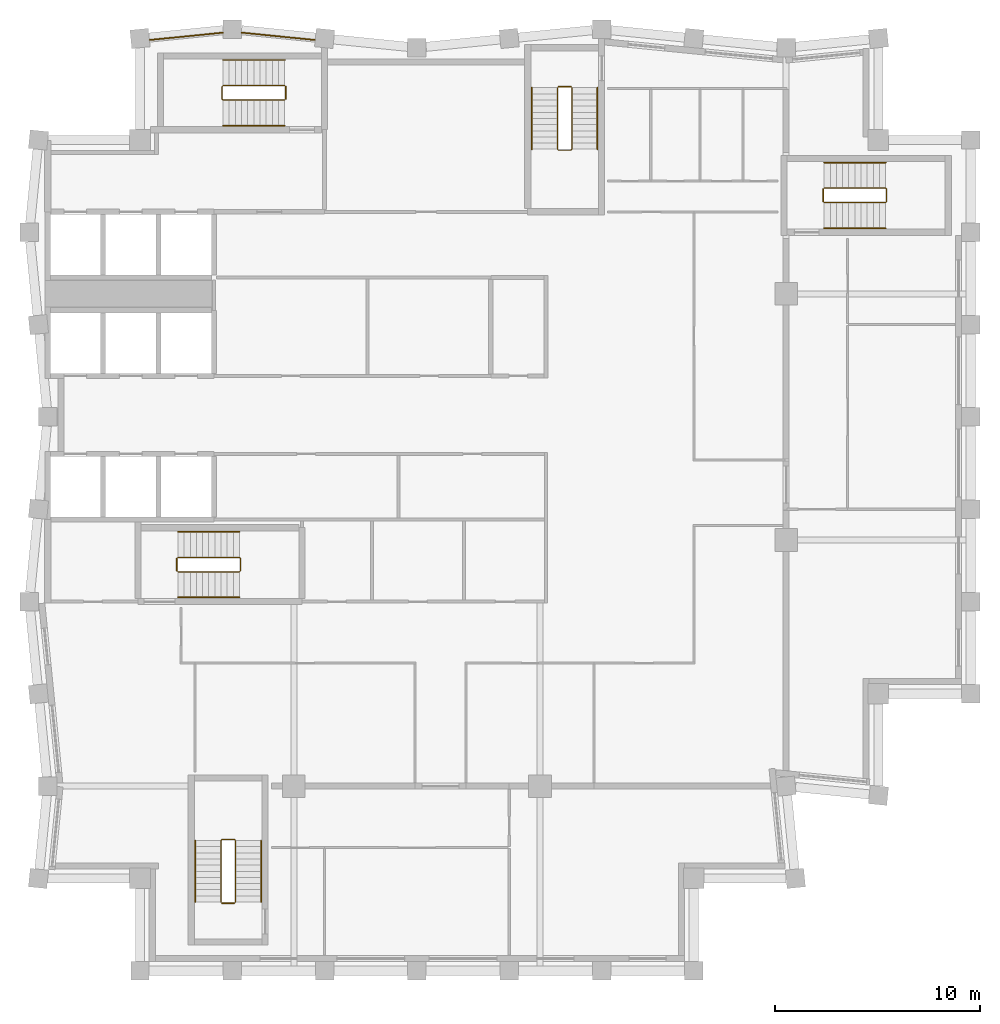
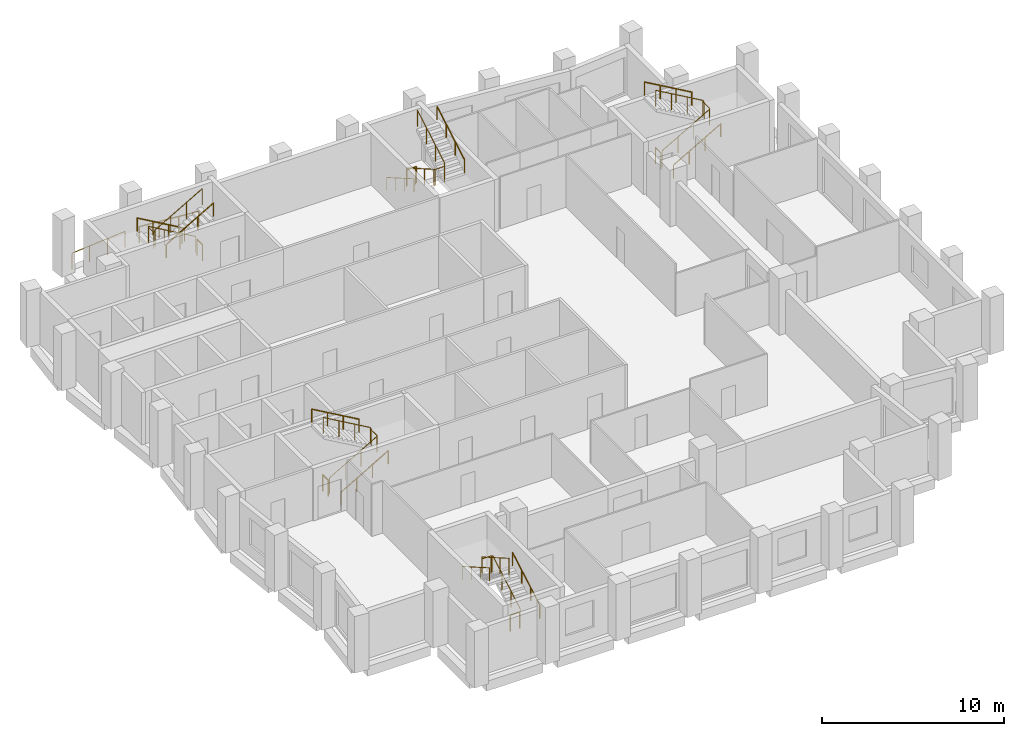
# One storey, part 7 of 7: 22 railings.
"""IFC4 building model written with IfcOpenShell, lengths in metres."""

from ifc_helpers import new_model, si_unit, direction, frame, origin, origin_2d, place, context, subcontext, project, spatial, circle, extrude, material, type_object, element, save


model = new_model("IFC4")

# Units and contexts
model_context = context("Model", 3, precision=1e-05, world=origin(), true_north=direction((0.0, 1.0)))
body_context = subcontext(model_context, "Body", "Model", "MODEL_VIEW")
ifc_project = project(units=[si_unit("LENGTHUNIT", "METRE"), si_unit("AREAUNIT", "SQUARE_METRE"), si_unit("VOLUMEUNIT", "CUBIC_METRE"), si_unit("PLANEANGLEUNIT", "RADIAN"), si_unit("MASSUNIT", "GRAM", prefix="KILO")], contexts=[model_context])

# Site, building, storey
site_placement = place(None, origin())
site = spatial("IfcSite", under=ifc_project, at=site_placement, CompositionType="ELEMENT")
building_placement = place(site_placement, origin())
building = spatial("IfcBuilding", under=site, at=building_placement, Name="Brondeck Convention Tower", CompositionType="ELEMENT")
storey_placement = place(building_placement, frame((0.0, 0.0, 260.0)))
storey = spatial("IfcBuildingStorey", under=building, at=storey_placement, Name="L64", CompositionType="ELEMENT", Elevation=260.0)

# Railings
ifc_material_1 = material(Name="Steel S355, bronze painted", Category="steel")
railing_type_1 = type_object("IfcRailingType", Name="Guard, bronze steel rail and posts", PredefinedType="GUARDRAIL", material=ifc_material_1)
railing_1_placement = place(storey_placement, frame((4.9794921875, 63.37744140625, 0.0)))
element("IfcRailing", 1, at=railing_1_placement, inside=storey, type_object=railing_type_1, Name="ENV-RL-L64-REAR1", PredefinedType="GUARDRAIL", context=body_context, shape_type="SweptSolid", body=[
    extrude(circle(Radius=0.02490234375, at=origin_2d()), frame((0.0, 0.0, 1.0751953125), z_axis=(0.995037864926, 0.099496971632, 0.0), x_axis=(-0.099496971632, 0.995037864926, 0.0)), (0.0, 0.0, 1.0), 3.58251953125),
    extrude(circle(Radius=0.02490234375, at=origin_2d()), origin(), (0.0, 0.0, 1.0), 1.050048828125),
    extrude(circle(Radius=0.02490234375, at=origin_2d()), frame((1.188232421875, 0.118896484375, 0.0)), (0.0, 0.0, 1.0), 1.050048828125),
    extrude(circle(Radius=0.02490234375, at=origin_2d()), frame((2.37646484375, 0.237548828125, 0.0)), (0.0, 0.0, 1.0), 1.050048828125),
    extrude(circle(Radius=0.02490234375, at=origin_2d()), frame((3.564697265625, 0.3564453125, 0.0)), (0.0, 0.0, 1.0), 1.050048828125),
])
railing_2_placement = place(storey_placement, frame((9.455810546875, 63.73388671875, 0.0)))
element("IfcRailing", 2, at=railing_2_placement, inside=storey, type_object=railing_type_1, Name="ENV-RL-L64-REAR2", PredefinedType="GUARDRAIL", context=body_context, shape_type="SweptSolid", body=[
    extrude(circle(Radius=0.02490234375, at=origin_2d()), frame((0.0, 0.0, 1.0751953125), z_axis=(0.995037864926, -0.099496971632, 0.0), x_axis=(0.099496971632, 0.995037864926, 0.0)), (0.0, 0.0, 1.0), 3.58251953125),
    extrude(circle(Radius=0.02490234375, at=origin_2d()), origin(), (0.0, 0.0, 1.0), 1.050048828125),
    extrude(circle(Radius=0.02490234375, at=origin_2d()), frame((1.188232421875, -0.118896484375, 0.0)), (0.0, 0.0, 1.0), 1.050048828125),
    extrude(circle(Radius=0.02490234375, at=origin_2d()), frame((2.37646484375, -0.237548828125, 0.0)), (0.0, 0.0, 1.0), 1.050048828125),
    extrude(circle(Radius=0.02490234375, at=origin_2d()), frame((3.564697265625, -0.3564453125, 0.0)), (0.0, 0.0, 1.0), 1.050048828125),
])
ifc_material_2 = material(Name="Steel S355", Category="steel")
railing_type_2 = type_object("IfcRailingType", Name="Stair guard 1100", PredefinedType="GUARDRAIL", material=ifc_material_2)
railing_3_placement = place(storey_placement, frame((6.35009765625, 37.449951171875, 0.172607421875)))
element("IfcRailing", 3, at=railing_3_placement, inside=storey, type_object=railing_type_2, Name="L64 ST-1 stair guard 1", PredefinedType="GUARDRAIL", context=body_context, shape_type="SweptSolid", body=[
    extrude(circle(Radius=0.02392578125, at=origin_2d()), frame((0.0, 0.0, 1.076171875), z_axis=(0.866619684472, 0.0, 0.498969260062), x_axis=(0.0, 1.0, 0.0)), (0.0, 0.0, 1.0), 3.461669921875),
    extrude(circle(Radius=0.02392578125, at=origin_2d()), frame((3.0, 0.0, 2.80322265625), z_axis=(0.705375805398, 0.708833529934, 0.0), x_axis=(-0.708833529934, 0.705375805398, 0.0)), (0.0, 0.0, 1.0), 0.070556640625),
    extrude(circle(Radius=0.02392578125, at=origin_2d()), frame((3.0498046875, 0.050048828125, 2.80322265625), z_axis=(0.0, 1.0, 0.0), x_axis=(-1.0, 0.0, 0.0)), (0.0, 0.0, 1.0), 0.60009765625),
    extrude(circle(Radius=0.02392578125, at=origin_2d()), frame((3.0498046875, 0.650146484375, 2.80322265625), z_axis=(-0.266832911964, 0.266832911964, 0.926067165051), x_axis=(-0.707106781187, -0.707106781187, 0.0)), (0.0, 0.0, 1.0), 0.186767578125),
    extrude(circle(Radius=0.02392578125, at=origin_2d()), frame((3.0, 0.699951171875, 2.97607421875), z_axis=(-0.866619684472, 0.0, 0.498969260062), x_axis=(0.0, -1.0, 0.0)), (0.0, 0.0, 1.0), 3.461669921875),
    extrude(circle(Radius=0.02099609375, at=origin_2d()), origin(), (0.0, 0.0, 1.0), 1.052001953125),
    extrude(circle(Radius=0.02099609375, at=origin_2d()), frame((1.0, 0.0, 0.57568359375)), (0.0, 0.0, 1.0), 1.052001953125),
    extrude(circle(Radius=0.02099609375, at=origin_2d()), frame((2.0, 0.0, 1.151611328125)), (0.0, 0.0, 1.0), 1.052001953125),
    extrude(circle(Radius=0.02099609375, at=origin_2d()), frame((3.0, 0.0, 1.727294921875)), (0.0, 0.0, 1.0), 1.052001953125),
    extrude(circle(Radius=0.02099609375, at=origin_2d()), frame((3.0498046875, 0.050048828125, 1.727294921875)), (0.0, 0.0, 1.0), 1.052001953125),
    extrude(circle(Radius=0.02099609375, at=origin_2d()), frame((3.0498046875, 0.650146484375, 1.727294921875)), (0.0, 0.0, 1.0), 1.052001953125),
    extrude(circle(Radius=0.02099609375, at=origin_2d()), frame((3.0, 0.699951171875, 1.900146484375)), (0.0, 0.0, 1.0), 1.052001953125),
    extrude(circle(Radius=0.02099609375, at=origin_2d()), frame((2.0, 0.699951171875, 2.475830078125)), (0.0, 0.0, 1.0), 1.052001953125),
    extrude(circle(Radius=0.02099609375, at=origin_2d()), frame((1.0, 0.699951171875, 3.0517578125)), (0.0, 0.0, 1.0), 1.052001953125),
    extrude(circle(Radius=0.02099609375, at=origin_2d()), frame((0.0, 0.699951171875, 3.62744140625)), (0.0, 0.0, 1.0), 1.052001953125),
])
railing_4_placement = place(storey_placement, frame((6.300048828125, 37.5, 0.0)))
element("IfcRailing", 4, at=railing_4_placement, inside=storey, type_object=railing_type_2, Name="L64 ST-1 stair guard 2", PredefinedType="GUARDRAIL", context=body_context, shape_type="SweptSolid", body=[
    extrude(circle(Radius=0.02392578125, at=origin_2d()), frame((0.0, 0.0, 1.076171875), z_axis=(0.0, 1.0, 0.0), x_axis=(-1.0, 0.0, 0.0)), (0.0, 0.0, 1.0), 0.60009765625),
    extrude(circle(Radius=0.02099609375, at=origin_2d()), origin(), (0.0, 0.0, 1.0), 1.052001953125),
    extrude(circle(Radius=0.02099609375, at=origin_2d()), frame((0.0, 0.60009765625, 0.0)), (0.0, 0.0, 1.0), 1.052001953125),
])
railing_5_placement = place(storey_placement, frame((24.85009765625, 61.050048828125, 0.172607421875)))
element("IfcRailing", 5, at=railing_5_placement, inside=storey, type_object=railing_type_2, Name="L64 ST-2 stair guard 1", PredefinedType="GUARDRAIL", context=body_context, shape_type="SweptSolid", body=[
    extrude(circle(Radius=0.02392578125, at=origin_2d()), frame((0.0, 0.0, 1.076171875), z_axis=(0.0, -0.866619684472, 0.498969260062), x_axis=(1.0, 0.0, 0.0)), (0.0, 0.0, 1.0), 3.461669921875),
    extrude(circle(Radius=0.02392578125, at=origin_2d()), frame((0.0, -3.0, 2.80322265625), z_axis=(0.705375805398, -0.708833529934, 0.0), x_axis=(0.708833529934, 0.705375805398, 0.0)), (0.0, 0.0, 1.0), 0.070556640625),
    extrude(circle(Radius=0.02392578125, at=origin_2d()), frame((0.0498046875, -3.050048828125, 2.80322265625), z_axis=(1.0, 0.0, 0.0), x_axis=(0.0, 1.0, 0.0)), (0.0, 0.0, 1.0), 0.60009765625),
    extrude(circle(Radius=0.02392578125, at=origin_2d()), frame((0.64990234375, -3.050048828125, 2.80322265625), z_axis=(0.267953482034, 0.267953482034, 0.925419830635), x_axis=(-0.707106781187, 0.707106781187, 0.0)), (0.0, 0.0, 1.0), 0.186767578125),
    extrude(circle(Radius=0.02392578125, at=origin_2d()), frame((0.699951171875, -3.0, 2.97607421875), z_axis=(0.0, 0.866619684472, 0.498969260062), x_axis=(-1.0, 0.0, 0.0)), (0.0, 0.0, 1.0), 3.461669921875),
    extrude(circle(Radius=0.02099609375, at=origin_2d()), origin(), (0.0, 0.0, 1.0), 1.052001953125),
    extrude(circle(Radius=0.02099609375, at=origin_2d()), frame((0.0, -1.0, 0.57568359375)), (0.0, 0.0, 1.0), 1.052001953125),
    extrude(circle(Radius=0.02099609375, at=origin_2d()), frame((0.0, -2.0, 1.151611328125)), (0.0, 0.0, 1.0), 1.052001953125),
    extrude(circle(Radius=0.02099609375, at=origin_2d()), frame((0.0, -3.0, 1.727294921875)), (0.0, 0.0, 1.0), 1.052001953125),
    extrude(circle(Radius=0.02099609375, at=origin_2d()), frame((0.0498046875, -3.050048828125, 1.727294921875)), (0.0, 0.0, 1.0), 1.052001953125),
    extrude(circle(Radius=0.02099609375, at=origin_2d()), frame((0.64990234375, -3.050048828125, 1.727294921875)), (0.0, 0.0, 1.0), 1.052001953125),
    extrude(circle(Radius=0.02099609375, at=origin_2d()), frame((0.699951171875, -3.0, 1.900146484375)), (0.0, 0.0, 1.0), 1.052001953125),
    extrude(circle(Radius=0.02099609375, at=origin_2d()), frame((0.699951171875, -2.0, 2.475830078125)), (0.0, 0.0, 1.0), 1.052001953125),
    extrude(circle(Radius=0.02099609375, at=origin_2d()), frame((0.699951171875, -1.0, 3.0517578125)), (0.0, 0.0, 1.0), 1.052001953125),
    extrude(circle(Radius=0.02099609375, at=origin_2d()), frame((0.699951171875, 0.0, 3.62744140625)), (0.0, 0.0, 1.0), 1.052001953125),
])
railing_6_placement = place(storey_placement, frame((24.89990234375, 61.10009765625, 0.0)))
element("IfcRailing", 6, at=railing_6_placement, inside=storey, type_object=railing_type_2, Name="L64 ST-2 stair guard 2", PredefinedType="GUARDRAIL", context=body_context, shape_type="SweptSolid", body=[
    extrude(circle(Radius=0.02392578125, at=origin_2d()), frame((0.0, 0.0, 1.076171875), z_axis=(1.0, 0.0, 0.0), x_axis=(0.0, 1.0, 0.0)), (0.0, 0.0, 1.0), 0.60009765625),
    extrude(circle(Radius=0.02099609375, at=origin_2d()), origin(), (0.0, 0.0, 1.0), 1.052001953125),
    extrude(circle(Radius=0.02099609375, at=origin_2d()), frame((0.60009765625, 0.0, 0.0)), (0.0, 0.0, 1.0), 1.052001953125),
])
railing_7_placement = place(storey_placement, frame((11.550048828125, 61.14990234375, 0.172607421875)))
element("IfcRailing", 7, at=railing_7_placement, inside=storey, type_object=railing_type_2, Name="L64 ST-3 stair guard 1", PredefinedType="GUARDRAIL", context=body_context, shape_type="SweptSolid", body=[
    extrude(circle(Radius=0.02392578125, at=origin_2d()), frame((0.0, 0.0, 1.076171875), z_axis=(-0.866619684472, 0.0, 0.498969260062), x_axis=(0.0, -1.0, 0.0)), (0.0, 0.0, 1.0), 3.461669921875),
    extrude(circle(Radius=0.02392578125, at=origin_2d()), frame((-3.0, 0.0, 2.80322265625), z_axis=(-0.708833529934, -0.705375805398, 0.0), x_axis=(0.705375805398, -0.708833529934, 0.0)), (0.0, 0.0, 1.0), 0.070556640625),
    extrude(circle(Radius=0.02392578125, at=origin_2d()), frame((-3.050048828125, -0.0498046875, 2.80322265625), z_axis=(0.0, -1.0, 0.0), x_axis=(1.0, 0.0, 0.0)), (0.0, 0.0, 1.0), 0.60009765625),
    extrude(circle(Radius=0.02392578125, at=origin_2d()), frame((-3.050048828125, -0.64990234375, 2.80322265625), z_axis=(0.267953482034, -0.267953482034, 0.925419830635), x_axis=(0.707106781187, 0.707106781187, 0.0)), (0.0, 0.0, 1.0), 0.186767578125),
    extrude(circle(Radius=0.02392578125, at=origin_2d()), frame((-3.0, -0.699951171875, 2.97607421875), z_axis=(0.866619684472, 0.0, 0.498969260062), x_axis=(0.0, 1.0, 0.0)), (0.0, 0.0, 1.0), 3.461669921875),
    extrude(circle(Radius=0.02099609375, at=origin_2d()), origin(), (0.0, 0.0, 1.0), 1.052001953125),
    extrude(circle(Radius=0.02099609375, at=origin_2d()), frame((-1.0, 0.0, 0.57568359375)), (0.0, 0.0, 1.0), 1.052001953125),
    extrude(circle(Radius=0.02099609375, at=origin_2d()), frame((-2.0, 0.0, 1.151611328125)), (0.0, 0.0, 1.0), 1.052001953125),
    extrude(circle(Radius=0.02099609375, at=origin_2d()), frame((-3.0, 0.0, 1.727294921875)), (0.0, 0.0, 1.0), 1.052001953125),
    extrude(circle(Radius=0.02099609375, at=origin_2d()), frame((-3.050048828125, -0.0498046875, 1.727294921875)), (0.0, 0.0, 1.0), 1.052001953125),
    extrude(circle(Radius=0.02099609375, at=origin_2d()), frame((-3.050048828125, -0.64990234375, 1.727294921875)), (0.0, 0.0, 1.0), 1.052001953125),
    extrude(circle(Radius=0.02099609375, at=origin_2d()), frame((-3.0, -0.699951171875, 1.900146484375)), (0.0, 0.0, 1.0), 1.052001953125),
    extrude(circle(Radius=0.02099609375, at=origin_2d()), frame((-2.0, -0.699951171875, 2.475830078125)), (0.0, 0.0, 1.0), 1.052001953125),
    extrude(circle(Radius=0.02099609375, at=origin_2d()), frame((-1.0, -0.699951171875, 3.0517578125)), (0.0, 0.0, 1.0), 1.052001953125),
    extrude(circle(Radius=0.02099609375, at=origin_2d()), frame((0.0, -0.699951171875, 3.62744140625)), (0.0, 0.0, 1.0), 1.052001953125),
])
railing_8_placement = place(storey_placement, frame((11.60009765625, 61.10009765625, 0.0)))
element("IfcRailing", 8, at=railing_8_placement, inside=storey, type_object=railing_type_2, Name="L64 ST-3 stair guard 2", PredefinedType="GUARDRAIL", context=body_context, shape_type="SweptSolid", body=[
    extrude(circle(Radius=0.02392578125, at=origin_2d()), frame((0.0, 0.0, 1.076171875), z_axis=(0.0, -1.0, 0.0), x_axis=(1.0, 0.0, 0.0)), (0.0, 0.0, 1.0), 0.60009765625),
    extrude(circle(Radius=0.02099609375, at=origin_2d()), origin(), (0.0, 0.0, 1.0), 1.052001953125),
    extrude(circle(Radius=0.02099609375, at=origin_2d()), frame((0.0, -0.60009765625, 0.0)), (0.0, 0.0, 1.0), 1.052001953125),
])
railing_9_placement = place(storey_placement, frame((37.85009765625, 55.449951171875, 0.172607421875)))
element("IfcRailing", 9, at=railing_9_placement, inside=storey, type_object=railing_type_2, Name="L64 ST-AE stair guard 1", PredefinedType="GUARDRAIL", context=body_context, shape_type="SweptSolid", body=[
    extrude(circle(Radius=0.02392578125, at=origin_2d()), frame((0.0, 0.0, 1.076171875), z_axis=(0.866619684472, 0.0, 0.498969260062), x_axis=(0.0, 1.0, 0.0)), (0.0, 0.0, 1.0), 3.461669921875),
    extrude(circle(Radius=0.02392578125, at=origin_2d()), frame((3.0, 0.0, 2.80322265625), z_axis=(0.705375805398, 0.708833529934, 0.0), x_axis=(-0.708833529934, 0.705375805398, 0.0)), (0.0, 0.0, 1.0), 0.070556640625),
    extrude(circle(Radius=0.02392578125, at=origin_2d()), frame((3.0498046875, 0.050048828125, 2.80322265625), z_axis=(0.0, 1.0, 0.0), x_axis=(-1.0, 0.0, 0.0)), (0.0, 0.0, 1.0), 0.60009765625),
    extrude(circle(Radius=0.02392578125, at=origin_2d()), frame((3.0498046875, 0.650146484375, 2.80322265625), z_axis=(-0.266832911964, 0.266832911964, 0.926067165051), x_axis=(-0.707106781187, -0.707106781187, 0.0)), (0.0, 0.0, 1.0), 0.186767578125),
    extrude(circle(Radius=0.02392578125, at=origin_2d()), frame((3.0, 0.699951171875, 2.97607421875), z_axis=(-0.866619684472, 0.0, 0.498969260062), x_axis=(0.0, -1.0, 0.0)), (0.0, 0.0, 1.0), 3.461669921875),
    extrude(circle(Radius=0.02099609375, at=origin_2d()), origin(), (0.0, 0.0, 1.0), 1.052001953125),
    extrude(circle(Radius=0.02099609375, at=origin_2d()), frame((1.0, 0.0, 0.57568359375)), (0.0, 0.0, 1.0), 1.052001953125),
    extrude(circle(Radius=0.02099609375, at=origin_2d()), frame((2.0, 0.0, 1.151611328125)), (0.0, 0.0, 1.0), 1.052001953125),
    extrude(circle(Radius=0.02099609375, at=origin_2d()), frame((3.0, 0.0, 1.727294921875)), (0.0, 0.0, 1.0), 1.052001953125),
    extrude(circle(Radius=0.02099609375, at=origin_2d()), frame((3.0498046875, 0.050048828125, 1.727294921875)), (0.0, 0.0, 1.0), 1.052001953125),
    extrude(circle(Radius=0.02099609375, at=origin_2d()), frame((3.0498046875, 0.650146484375, 1.727294921875)), (0.0, 0.0, 1.0), 1.052001953125),
    extrude(circle(Radius=0.02099609375, at=origin_2d()), frame((3.0, 0.699951171875, 1.900146484375)), (0.0, 0.0, 1.0), 1.052001953125),
    extrude(circle(Radius=0.02099609375, at=origin_2d()), frame((2.0, 0.699951171875, 2.475830078125)), (0.0, 0.0, 1.0), 1.052001953125),
    extrude(circle(Radius=0.02099609375, at=origin_2d()), frame((1.0, 0.699951171875, 3.0517578125)), (0.0, 0.0, 1.0), 1.052001953125),
    extrude(circle(Radius=0.02099609375, at=origin_2d()), frame((0.0, 0.699951171875, 3.62744140625)), (0.0, 0.0, 1.0), 1.052001953125),
])
railing_10_placement = place(storey_placement, frame((37.800048828125, 55.5, 0.0)))
element("IfcRailing", 10, at=railing_10_placement, inside=storey, type_object=railing_type_2, Name="L64 ST-AE stair guard 2", PredefinedType="GUARDRAIL", context=body_context, shape_type="SweptSolid", body=[
    extrude(circle(Radius=0.02392578125, at=origin_2d()), frame((0.0, 0.0, 1.076171875), z_axis=(0.0, 1.0, 0.0), x_axis=(-1.0, 0.0, 0.0)), (0.0, 0.0, 1.0), 0.60009765625),
    extrude(circle(Radius=0.02099609375, at=origin_2d()), origin(), (0.0, 0.0, 1.0), 1.052001953125),
    extrude(circle(Radius=0.02099609375, at=origin_2d()), frame((0.0, 0.60009765625, 0.0)), (0.0, 0.0, 1.0), 1.052001953125),
])
railing_11_placement = place(storey_placement, frame((9.14990234375, 21.35009765625, 0.172607421875)))
element("IfcRailing", 11, at=railing_11_placement, inside=storey, type_object=railing_type_2, Name="L64 ST-BE stair guard 1", PredefinedType="GUARDRAIL", context=body_context, shape_type="SweptSolid", body=[
    extrude(circle(Radius=0.02392578125, at=origin_2d()), frame((0.0, 0.0, 1.076171875), z_axis=(0.0, 0.866619684472, 0.498969260062), x_axis=(-1.0, 0.0, 0.0)), (0.0, 0.0, 1.0), 3.461669921875),
    extrude(circle(Radius=0.02392578125, at=origin_2d()), frame((0.0, 3.0, 2.80322265625), z_axis=(-0.707106781187, 0.707106781187, 0.0), x_axis=(-0.707106781187, -0.707106781187, 0.0)), (0.0, 0.0, 1.0), 0.0703125),
    extrude(circle(Radius=0.02392578125, at=origin_2d()), frame((-0.0498046875, 3.0498046875, 2.80322265625), z_axis=(-1.0, 0.0, 0.0), x_axis=(0.0, -1.0, 0.0)), (0.0, 0.0, 1.0), 0.60009765625),
    extrude(circle(Radius=0.02392578125, at=origin_2d()), frame((-0.64990234375, 3.0498046875, 2.80322265625), z_axis=(-0.268047150085, -0.266739603011, 0.925743328097), x_axis=(0.705375805398, -0.708833529934, 0.0)), (0.0, 0.0, 1.0), 0.186767578125),
    extrude(circle(Radius=0.02392578125, at=origin_2d()), frame((-0.699951171875, 3.0, 2.97607421875), z_axis=(0.0, -0.866619684472, 0.498969260062), x_axis=(1.0, 0.0, 0.0)), (0.0, 0.0, 1.0), 3.461669921875),
    extrude(circle(Radius=0.02099609375, at=origin_2d()), origin(), (0.0, 0.0, 1.0), 1.052001953125),
    extrude(circle(Radius=0.02099609375, at=origin_2d()), frame((0.0, 1.0, 0.57568359375)), (0.0, 0.0, 1.0), 1.052001953125),
    extrude(circle(Radius=0.02099609375, at=origin_2d()), frame((0.0, 2.0, 1.151611328125)), (0.0, 0.0, 1.0), 1.052001953125),
    extrude(circle(Radius=0.02099609375, at=origin_2d()), frame((0.0, 3.0, 1.727294921875)), (0.0, 0.0, 1.0), 1.052001953125),
    extrude(circle(Radius=0.02099609375, at=origin_2d()), frame((-0.0498046875, 3.0498046875, 1.727294921875)), (0.0, 0.0, 1.0), 1.052001953125),
    extrude(circle(Radius=0.02099609375, at=origin_2d()), frame((-0.64990234375, 3.0498046875, 1.727294921875)), (0.0, 0.0, 1.0), 1.052001953125),
    extrude(circle(Radius=0.02099609375, at=origin_2d()), frame((-0.699951171875, 3.0, 1.900146484375)), (0.0, 0.0, 1.0), 1.052001953125),
    extrude(circle(Radius=0.02099609375, at=origin_2d()), frame((-0.699951171875, 2.0, 2.475830078125)), (0.0, 0.0, 1.0), 1.052001953125),
    extrude(circle(Radius=0.02099609375, at=origin_2d()), frame((-0.699951171875, 1.0, 3.0517578125)), (0.0, 0.0, 1.0), 1.052001953125),
    extrude(circle(Radius=0.02099609375, at=origin_2d()), frame((-0.699951171875, 0.0, 3.62744140625)), (0.0, 0.0, 1.0), 1.052001953125),
])
railing_12_placement = place(storey_placement, frame((9.10009765625, 21.300048828125, 0.0)))
element("IfcRailing", 12, at=railing_12_placement, inside=storey, type_object=railing_type_2, Name="L64 ST-BE stair guard 2", PredefinedType="GUARDRAIL", context=body_context, shape_type="SweptSolid", body=[
    extrude(circle(Radius=0.02392578125, at=origin_2d()), frame((0.0, 0.0, 1.076171875), z_axis=(-1.0, 0.0, 0.0), x_axis=(0.0, -1.0, 0.0)), (0.0, 0.0, 1.0), 0.60009765625),
    extrude(circle(Radius=0.02099609375, at=origin_2d()), origin(), (0.0, 0.0, 1.0), 1.052001953125),
    extrude(circle(Radius=0.02099609375, at=origin_2d()), frame((-0.60009765625, 0.0, 0.0)), (0.0, 0.0, 1.0), 1.052001953125),
])
railing_type_3 = type_object("IfcRailingType", Name="Stair handrail", PredefinedType="HANDRAIL", material=ifc_material_2)
railing_13_placement = place(storey_placement, frame((6.35009765625, 36.199951171875, 0.172607421875)))
element("IfcRailing", 13, at=railing_13_placement, inside=storey, type_object=railing_type_3, Name="L64 ST-1 stair handrail 1", PredefinedType="HANDRAIL", context=body_context, shape_type="SweptSolid", body=[
    extrude(circle(Radius=0.02392578125, at=origin_2d()), frame((0.0, 0.0, 0.8759765625), z_axis=(0.866619684472, 0.0, 0.498969260062), x_axis=(0.0, 1.0, 0.0)), (0.0, 0.0, 1.0), 3.461669921875),
    extrude(circle(Radius=0.02099609375, at=origin_2d()), origin(), (0.0, 0.0, 1.0), 0.851806640625),
    extrude(circle(Radius=0.02099609375, at=origin_2d()), frame((1.0, 0.0, 0.57568359375)), (0.0, 0.0, 1.0), 0.851806640625),
    extrude(circle(Radius=0.02099609375, at=origin_2d()), frame((2.0, 0.0, 1.151611328125)), (0.0, 0.0, 1.0), 0.851806640625),
    extrude(circle(Radius=0.02099609375, at=origin_2d()), frame((3.0, 0.0, 1.727294921875)), (0.0, 0.0, 1.0), 0.851806640625),
])
railing_14_placement = place(storey_placement, frame((9.35009765625, 39.39990234375, 2.07275390625)))
element("IfcRailing", 14, at=railing_14_placement, inside=storey, type_object=railing_type_3, Name="L64 ST-1 stair handrail 2", PredefinedType="HANDRAIL", context=body_context, shape_type="SweptSolid", body=[
    extrude(circle(Radius=0.02392578125, at=origin_2d()), frame((0.0, 0.0, 0.8759765625), z_axis=(-0.866619684472, 0.0, 0.498969260062), x_axis=(0.0, -1.0, 0.0)), (0.0, 0.0, 1.0), 3.461669921875),
    extrude(circle(Radius=0.02099609375, at=origin_2d()), origin(), (0.0, 0.0, 1.0), 0.851806640625),
    extrude(circle(Radius=0.02099609375, at=origin_2d()), frame((-1.0, 0.0, 0.57568359375)), (0.0, 0.0, 1.0), 0.851806640625),
    extrude(circle(Radius=0.02099609375, at=origin_2d()), frame((-2.0, 0.0, 1.151611328125)), (0.0, 0.0, 1.0), 0.851806640625),
    extrude(circle(Radius=0.02099609375, at=origin_2d()), frame((-3.0, 0.0, 1.727294921875)), (0.0, 0.0, 1.0), 0.851806640625),
])
railing_15_placement = place(storey_placement, frame((23.60009765625, 61.050048828125, 0.172607421875)))
element("IfcRailing", 15, at=railing_15_placement, inside=storey, type_object=railing_type_3, Name="L64 ST-2 stair handrail 1", PredefinedType="HANDRAIL", context=body_context, shape_type="SweptSolid", body=[
    extrude(circle(Radius=0.02392578125, at=origin_2d()), frame((0.0, 0.0, 0.8759765625), z_axis=(0.0, -0.866619684472, 0.498969260062), x_axis=(1.0, 0.0, 0.0)), (0.0, 0.0, 1.0), 3.461669921875),
    extrude(circle(Radius=0.02099609375, at=origin_2d()), origin(), (0.0, 0.0, 1.0), 0.851806640625),
    extrude(circle(Radius=0.02099609375, at=origin_2d()), frame((0.0, -1.0, 0.57568359375)), (0.0, 0.0, 1.0), 0.851806640625),
    extrude(circle(Radius=0.02099609375, at=origin_2d()), frame((0.0, -2.0, 1.151611328125)), (0.0, 0.0, 1.0), 0.851806640625),
    extrude(circle(Radius=0.02099609375, at=origin_2d()), frame((0.0, -3.0, 1.727294921875)), (0.0, 0.0, 1.0), 0.851806640625),
])
railing_16_placement = place(storey_placement, frame((26.800048828125, 58.050048828125, 2.07275390625)))
element("IfcRailing", 16, at=railing_16_placement, inside=storey, type_object=railing_type_3, Name="L64 ST-2 stair handrail 2", PredefinedType="HANDRAIL", context=body_context, shape_type="SweptSolid", body=[
    extrude(circle(Radius=0.02392578125, at=origin_2d()), frame((0.0, 0.0, 0.8759765625), z_axis=(0.0, 0.866619684472, 0.498969260062), x_axis=(-1.0, 0.0, 0.0)), (0.0, 0.0, 1.0), 3.461669921875),
    extrude(circle(Radius=0.02099609375, at=origin_2d()), origin(), (0.0, 0.0, 1.0), 0.851806640625),
    extrude(circle(Radius=0.02099609375, at=origin_2d()), frame((0.0, 1.0, 0.57568359375)), (0.0, 0.0, 1.0), 0.851806640625),
    extrude(circle(Radius=0.02099609375, at=origin_2d()), frame((0.0, 2.0, 1.151611328125)), (0.0, 0.0, 1.0), 0.851806640625),
    extrude(circle(Radius=0.02099609375, at=origin_2d()), frame((0.0, 3.0, 1.727294921875)), (0.0, 0.0, 1.0), 0.851806640625),
])
railing_17_placement = place(storey_placement, frame((11.550048828125, 62.39990234375, 0.172607421875)))
element("IfcRailing", 17, at=railing_17_placement, inside=storey, type_object=railing_type_3, Name="L64 ST-3 stair handrail 1", PredefinedType="HANDRAIL", context=body_context, shape_type="SweptSolid", body=[
    extrude(circle(Radius=0.02392578125, at=origin_2d()), frame((0.0, 0.0, 0.8759765625), z_axis=(-0.866619684472, 0.0, 0.498969260062), x_axis=(0.0, -1.0, 0.0)), (0.0, 0.0, 1.0), 3.461669921875),
    extrude(circle(Radius=0.02099609375, at=origin_2d()), origin(), (0.0, 0.0, 1.0), 0.851806640625),
    extrude(circle(Radius=0.02099609375, at=origin_2d()), frame((-1.0, 0.0, 0.57568359375)), (0.0, 0.0, 1.0), 0.851806640625),
    extrude(circle(Radius=0.02099609375, at=origin_2d()), frame((-2.0, 0.0, 1.151611328125)), (0.0, 0.0, 1.0), 0.851806640625),
    extrude(circle(Radius=0.02099609375, at=origin_2d()), frame((-3.0, 0.0, 1.727294921875)), (0.0, 0.0, 1.0), 0.851806640625),
])
for number, where, name in (
    (18, (8.550048828125, 59.199951171875, 2.07275390625), "L64 ST-3 stair handrail 2"),
    (19, (37.85009765625, 54.199951171875, 0.172607421875), "L64 ST-AE stair handrail 1"),
):
    element("IfcRailing", number, at=place(storey_placement, frame(where)), inside=storey, type_object=railing_type_3, Name=name, PredefinedType="HANDRAIL", context=body_context, shape_type="SweptSolid", body=[
        extrude(circle(Radius=0.02392578125, at=origin_2d()), frame((0.0, 0.0, 0.8759765625), z_axis=(0.866619684472, 0.0, 0.498969260062), x_axis=(0.0, 1.0, 0.0)), (0.0, 0.0, 1.0), 3.461669921875),
        extrude(circle(Radius=0.02099609375, at=origin_2d()), origin(), (0.0, 0.0, 1.0), 0.851806640625),
        extrude(circle(Radius=0.02099609375, at=origin_2d()), frame((1.0, 0.0, 0.57568359375)), (0.0, 0.0, 1.0), 0.851806640625),
        extrude(circle(Radius=0.02099609375, at=origin_2d()), frame((2.0, 0.0, 1.151611328125)), (0.0, 0.0, 1.0), 0.851806640625),
        extrude(circle(Radius=0.02099609375, at=origin_2d()), frame((3.0, 0.0, 1.727294921875)), (0.0, 0.0, 1.0), 0.851806640625),
    ])
railing_18_placement = place(storey_placement, frame((40.85009765625, 57.39990234375, 2.07275390625)))
element("IfcRailing", 20, at=railing_18_placement, inside=storey, type_object=railing_type_3, Name="L64 ST-AE stair handrail 2", PredefinedType="HANDRAIL", context=body_context, shape_type="SweptSolid", body=[
    extrude(circle(Radius=0.02392578125, at=origin_2d()), frame((0.0, 0.0, 0.8759765625), z_axis=(-0.866619684472, 0.0, 0.498969260062), x_axis=(0.0, -1.0, 0.0)), (0.0, 0.0, 1.0), 3.461669921875),
    extrude(circle(Radius=0.02099609375, at=origin_2d()), origin(), (0.0, 0.0, 1.0), 0.851806640625),
    extrude(circle(Radius=0.02099609375, at=origin_2d()), frame((-1.0, 0.0, 0.57568359375)), (0.0, 0.0, 1.0), 0.851806640625),
    extrude(circle(Radius=0.02099609375, at=origin_2d()), frame((-2.0, 0.0, 1.151611328125)), (0.0, 0.0, 1.0), 0.851806640625),
    extrude(circle(Radius=0.02099609375, at=origin_2d()), frame((-3.0, 0.0, 1.727294921875)), (0.0, 0.0, 1.0), 0.851806640625),
])
railing_19_placement = place(storey_placement, frame((10.39990234375, 21.35009765625, 0.172607421875)))
element("IfcRailing", 21, at=railing_19_placement, inside=storey, type_object=railing_type_3, Name="L64 ST-BE stair handrail 1", PredefinedType="HANDRAIL", context=body_context, shape_type="SweptSolid", body=[
    extrude(circle(Radius=0.02392578125, at=origin_2d()), frame((0.0, 0.0, 0.8759765625), z_axis=(0.0, 0.866619684472, 0.498969260062), x_axis=(-1.0, 0.0, 0.0)), (0.0, 0.0, 1.0), 3.461669921875),
    extrude(circle(Radius=0.02099609375, at=origin_2d()), origin(), (0.0, 0.0, 1.0), 0.851806640625),
    extrude(circle(Radius=0.02099609375, at=origin_2d()), frame((0.0, 1.0, 0.57568359375)), (0.0, 0.0, 1.0), 0.851806640625),
    extrude(circle(Radius=0.02099609375, at=origin_2d()), frame((0.0, 2.0, 1.151611328125)), (0.0, 0.0, 1.0), 0.851806640625),
    extrude(circle(Radius=0.02099609375, at=origin_2d()), frame((0.0, 3.0, 1.727294921875)), (0.0, 0.0, 1.0), 0.851806640625),
])
railing_20_placement = place(storey_placement, frame((7.199951171875, 24.35009765625, 2.07275390625)))
element("IfcRailing", 22, at=railing_20_placement, inside=storey, type_object=railing_type_3, Name="L64 ST-BE stair handrail 2", PredefinedType="HANDRAIL", context=body_context, shape_type="SweptSolid", body=[
    extrude(circle(Radius=0.02392578125, at=origin_2d()), frame((0.0, 0.0, 0.8759765625), z_axis=(0.0, -0.866619684472, 0.498969260062), x_axis=(1.0, 0.0, 0.0)), (0.0, 0.0, 1.0), 3.461669921875),
    extrude(circle(Radius=0.02099609375, at=origin_2d()), origin(), (0.0, 0.0, 1.0), 0.851806640625),
    extrude(circle(Radius=0.02099609375, at=origin_2d()), frame((0.0, -1.0, 0.57568359375)), (0.0, 0.0, 1.0), 0.851806640625),
    extrude(circle(Radius=0.02099609375, at=origin_2d()), frame((0.0, -2.0, 1.151611328125)), (0.0, 0.0, 1.0), 0.851806640625),
    extrude(circle(Radius=0.02099609375, at=origin_2d()), frame((0.0, -3.0, 1.727294921875)), (0.0, 0.0, 1.0), 0.851806640625),
])

save(model, "model.ifc")
